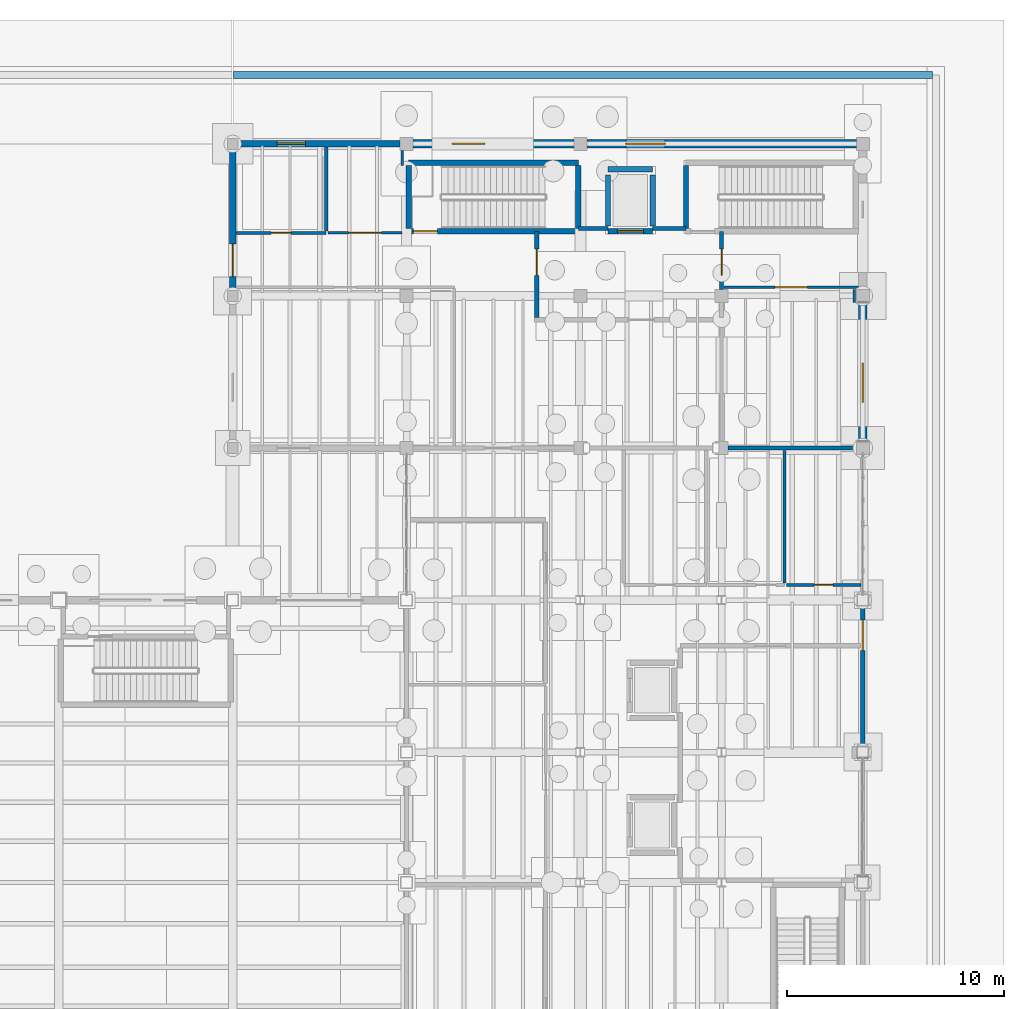
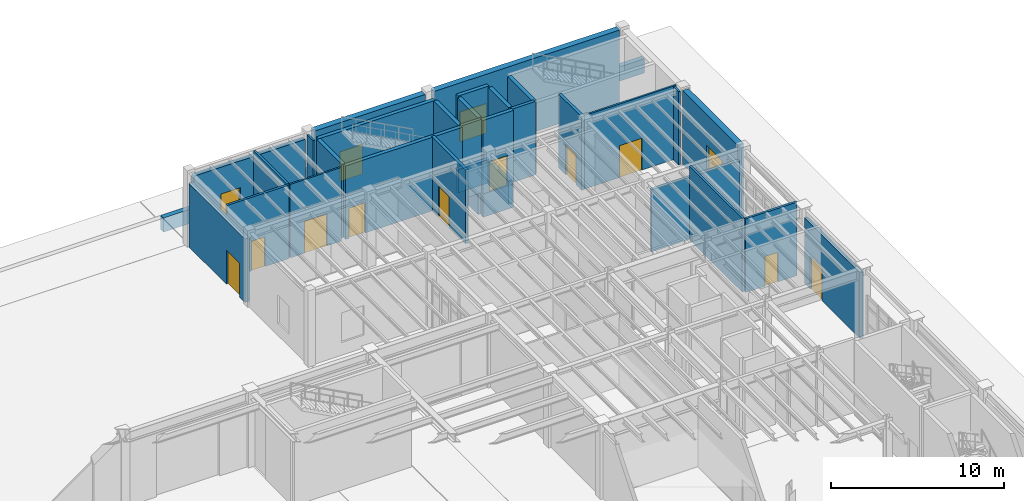
# One storey, part 70 of 86: 33 walls, 10 doors, 4 windows, 14 openings.
"""IFC4 building model written with IfcOpenShell, lengths in metres."""

from ifc_helpers import new_model, si_unit, direction, frame, frame_2d, origin, place, context, subcontext, project, spatial, rectangle, extrude, material, layer, layer_set, type_object, element, fill, save


model = new_model("IFC4")

# Units and contexts
model_context = context("Model", 3, precision=1e-05, world=origin(), true_north=direction((0.0, 1.0)))
body_context = subcontext(model_context, "Body", "Model", "MODEL_VIEW")
ifc_project = project(units=[si_unit("LENGTHUNIT", "METRE"), si_unit("AREAUNIT", "SQUARE_METRE"), si_unit("VOLUMEUNIT", "CUBIC_METRE"), si_unit("PLANEANGLEUNIT", "RADIAN"), si_unit("MASSUNIT", "GRAM", prefix="KILO"), si_unit("THERMODYNAMICTEMPERATUREUNIT", "KELVIN"), si_unit("POWERUNIT", "WATT")], contexts=[model_context])

# Site, building, storey
site_placement = place(None, origin())
site = spatial("IfcSite", under=ifc_project, at=site_placement, CompositionType="ELEMENT")
building_placement = place(site_placement, origin())
building = spatial("IfcBuilding", under=site, at=building_placement, Name="Zhenchuan Central Fire Station", CompositionType="ELEMENT")
storey_placement = place(building_placement, frame((0.0, 0.0, 0.449951171875)))
storey = spatial("IfcBuildingStorey", under=building, at=storey_placement, Name="L01", CompositionType="ELEMENT", Elevation=0.449951171875)

# Wall, opening, window
ifc_material_1 = material(Name="Sintered clay brick masonry MU15", Category="masonry")
ifc_layer_1 = layer(ifc_material_1, 0.300048828125, Name="Sintered clay brick masonry MU15", Category="masonry")
ifc_layer_set_1 = layer_set([ifc_layer_1], Name="Sintered clay brick masonry MU15")
wall_type_1 = type_object("IfcWallType", Name="EW-BRK300", PredefinedType="SOLIDWALL", material=ifc_layer_set_1)
wall_1_placement = place(storey_placement, frame((132.25, 56.5, 0.0), z_axis=(0.0, 0.0, 1.0), x_axis=(1.0, 0.0, 0.0)))
wall_1 = element("IfcWall", 1, at=wall_1_placement, inside=storey, type_object=wall_type_1, Name="EW-L01-V6N-0", PredefinedType="SOLIDWALL", context=body_context, shape_type="SweptSolid", body=[
    extrude(rectangle(XDim=7.449951171875, YDim=0.300048828125, at=frame_2d((3.72509765625, 0.0))), origin(), (0.0, 0.0, 1.0), 4.7939453125),
])
opening_1_placement = place(wall_1_placement, frame((1.800048828125, 0.0, 0.89990234375)))
opening_1 = element("IfcOpeningElement", 2, at=opening_1_placement, cuts=wall_1, Name="Opening W-33", PredefinedType="OPENING", context=body_context, shape_type="SweptSolid", body=[
    extrude(rectangle(XDim=1.300048828125, YDim=2.0, at=frame_2d((0.64990234375, 1.0))), frame((0.0, 0.159912109375, 0.0), z_axis=(0.0, -1.0, 0.0), x_axis=(1.0, 0.0, 0.0)), (0.0, 0.0, 1.0), 0.320068359375),
])
ifc_material_2 = material(Name="Laminated low-E double glazing in aluminium frame", Category="aluminium")
window_type_1 = type_object("IfcWindowType", Name="WN-33", PartitioningType="SINGLE_PANEL", PredefinedType="WINDOW", material=ifc_material_2)
window_1_placement = place(opening_1_placement, origin())
window_1 = element("IfcWindow", 3, at=window_1_placement, inside=storey, type_object=window_type_1, Name="Exterior Window 0099", OverallHeight=2.0, OverallWidth=1.300048828125, PartitioningType="SINGLE_PANEL", PredefinedType="WINDOW", context=body_context, shape_type="SweptSolid", body=[
    extrude(rectangle(XDim=1.300048828125, YDim=2.0, at=frame_2d((0.64990234375, 1.0))), frame((0.0, 0.030029296875, 0.0), z_axis=(0.0, -1.0, 0.0), x_axis=(1.0, 0.0, 0.0)), (0.0, 0.0, 1.0), 0.06005859375),
])
fill(opening_1, window_1)

# Wall, opening, door
wall_2_placement = place(storey_placement, frame((132.0, 49.75, 0.0), z_axis=(0.0, 0.0, 1.0), x_axis=(0.0, 1.0, 0.0)))
wall_2 = element("IfcWall", 4, at=wall_2_placement, inside=storey, type_object=wall_type_1, Name="EW-L01-V6W-1", PredefinedType="SOLIDWALL", context=body_context, shape_type="SweptSolid", body=[
    extrude(rectangle(XDim=6.5, YDim=0.300048828125, at=frame_2d((3.25, 0.0))), origin(), (0.0, 0.0, 1.0), 4.494140625),
])
opening_2_placement = place(wall_2_placement, frame((0.64990234375, 0.0, 0.0)))
opening_2 = element("IfcOpeningElement", 5, at=opening_2_placement, cuts=wall_2, Name="Opening EX-012", PredefinedType="OPENING", context=body_context, shape_type="SweptSolid", body=[
    extrude(rectangle(XDim=1.5, YDim=2.39990234375, at=frame_2d((0.75, 1.199951171875))), frame((0.0, 0.159912109375, 0.0), z_axis=(0.0, -1.0, 0.0), x_axis=(1.0, 0.0, 0.0)), (0.0, 0.0, 1.0), 0.320068359375),
])
ifc_material_3 = material(Name="Powder-coated steel fire exit door", Category="steel")
door_type_1 = type_object("IfcDoorType", Name="ED-150x240", OperationType="NOTDEFINED", PredefinedType="DOOR", material=ifc_material_3)
door_1_placement = place(opening_2_placement, origin())
door_1 = element("IfcDoor", 6, at=door_1_placement, inside=storey, type_object=door_type_1, Name="Drill Tower Courtyard Entrance", OperationType="SINGLE_SWING_RIGHT", OverallHeight=2.39990234375, OverallWidth=1.5, PredefinedType="DOOR", context=body_context, shape_type="SweptSolid", body=[
    extrude(rectangle(XDim=1.5, YDim=2.39990234375, at=frame_2d((0.75, 1.199951171875))), frame((0.0, 0.02490234375, 0.0), z_axis=(0.0, -1.0, 0.0), x_axis=(1.0, 0.0, 0.0)), (0.0, 0.0, 1.0), 0.050048828125),
])
fill(opening_2, door_1)

# Wall
ifc_material_4 = material(Name="Concrete C35/45", Category="concrete")
ifc_layer_2 = layer(ifc_material_4, 0.320068359375, Name="Concrete C35/45", Category="concrete")
ifc_layer_set_2 = layer_set([ifc_layer_2], Name="Concrete C35/45")
wall_type_2 = type_object("IfcWallType", Name="EW-PLN320", PredefinedType="SOLIDWALL", material=ifc_layer_set_2)
wall_3_placement = place(storey_placement, frame((132.02490234375, 59.662109375, -1.0), z_axis=(0.0, 0.0, 1.0), x_axis=(1.0, 0.0, 0.0)))
element("IfcWall", 7, at=wall_3_placement, inside=storey, type_object=wall_type_2, Name="Plinth Perimeter Retaining Stem Wall NORTH-E", PredefinedType="SOLIDWALL", context=body_context, shape_type="SweptSolid", body=[
    extrude(rectangle(XDim=32.175048828125, YDim=0.320068359375, at=frame_2d((16.08740234375, 0.0))), origin(), (0.0, 0.0, 1.0), 1.0),
])

# Wall, opening, door
ifc_material_5 = material(Name="Precast concrete C40/50", Category="concrete")
ifc_layer_3 = layer(ifc_material_5, 0.219970703125, Name="Precast concrete C40/50", Category="concrete")
ifc_layer_set_3 = layer_set([ifc_layer_3], Name="Precast concrete C40/50")
wall_type_3 = type_object("IfcWallType", Name="EW-PRC220", PredefinedType="SOLIDWALL", material=ifc_layer_set_3)
wall_4_placement = place(storey_placement, frame((161.0, 28.77490234375, 0.0), z_axis=(0.0, 0.0, 1.0), x_axis=(0.0, 1.0, 0.0)))
wall_4 = element("IfcWall", 8, at=wall_4_placement, inside=storey, type_object=wall_type_3, Name="EW-L01-V2E-EX", PredefinedType="SOLIDWALL", context=body_context, shape_type="SweptSolid", body=[
    extrude(rectangle(XDim=6.4501953125, YDim=0.219970703125, at=frame_2d((3.22509765625, 0.0))), origin(), (0.0, 0.0, 1.0), 4.64404296875),
])
opening_3_placement = place(wall_4_placement, frame((4.39990234375, 0.0, 0.0)))
opening_3 = element("IfcOpeningElement", 9, at=opening_3_placement, cuts=wall_4, Name="Opening EX-011", PredefinedType="OPENING", context=body_context, shape_type="SweptSolid", body=[
    extrude(rectangle(XDim=1.39990234375, YDim=2.35009765625, at=frame_2d((0.699951171875, 1.175048828125))), frame((0.0, 0.119873046875, 0.0), z_axis=(0.0, -1.0, 0.0), x_axis=(1.0, 0.0, 0.0)), (0.0, 0.0, 1.0), 0.239990234375),
])
door_type_2 = type_object("IfcDoorType", Name="ED-140x235", OperationType="NOTDEFINED", PredefinedType="DOOR", material=ifc_material_3)
door_2_placement = place(opening_3_placement, frame((1.39990234375, 0.0, 0.0), z_axis=(0.0, 0.0, 1.0), x_axis=(-1.0, 0.0, 0.0)))
door_2 = element("IfcDoor", 10, at=door_2_placement, inside=storey, type_object=door_type_2, Name="Headquarters East Street Exit", OperationType="SINGLE_SWING_RIGHT", OverallHeight=2.35009765625, OverallWidth=1.39990234375, PredefinedType="DOOR", context=body_context, shape_type="SweptSolid", body=[
    extrude(rectangle(XDim=1.39990234375, YDim=2.35009765625, at=frame_2d((0.699951171875, 1.175048828125))), frame((0.0, 0.02490234375, 0.0), z_axis=(0.0, -1.0, 0.0), x_axis=(1.0, 0.0, 0.0)), (0.0, 0.0, 1.0), 0.050048828125),
])
fill(opening_3, door_2)

# Wall, opening, window
ifc_material_6 = material(Name="Concrete C40/50", Category="concrete")
ifc_layer_4 = layer(ifc_material_6, 0.39990234375, Name="Concrete C40/50", Category="concrete")
ifc_layer_set_4 = layer_set([ifc_layer_4], Name="Concrete C40/50")
wall_type_4 = type_object("IfcWallType", Name="EW-RC400", PredefinedType="SHEAR", material=ifc_layer_set_4)
wall_5_placement = place(storey_placement, frame((140.300048828125, 56.5, 0.0), z_axis=(0.0, 0.0, 1.0), x_axis=(1.0, 0.0, 0.0)))
wall_5 = element("IfcWall", 11, at=wall_5_placement, inside=storey, type_object=wall_type_4, Name="EW-L01-V6N-1", PredefinedType="SHEAR", context=body_context, shape_type="SweptSolid", body=[
    extrude(rectangle(XDim=7.39990234375, YDim=0.39990234375, at=frame_2d((3.699951171875, 0.0))), origin(), (0.0, 0.0, 1.0), 5.199951171875),
])
opening_4_placement = place(wall_5_placement, frame((1.800048828125, 0.0, 0.89990234375)))
opening_4 = element("IfcOpeningElement", 12, at=opening_4_placement, cuts=wall_5, Name="Opening W-34", PredefinedType="OPENING", context=body_context, shape_type="SweptSolid", body=[
    extrude(rectangle(XDim=1.5, YDim=2.10009765625, at=frame_2d((0.75, 1.050048828125))), frame((0.0, 0.2099609375, 0.0), z_axis=(0.0, -1.0, 0.0), x_axis=(1.0, 0.0, 0.0)), (0.0, 0.0, 1.0), 0.419921875),
])
window_type_2 = type_object("IfcWindowType", Name="WN-34", PartitioningType="SINGLE_PANEL", PredefinedType="WINDOW", material=ifc_material_2)
window_2_placement = place(opening_4_placement, origin())
window_2 = element("IfcWindow", 13, at=window_2_placement, inside=storey, type_object=window_type_2, Name="Exterior Window 0100", OverallHeight=2.10009765625, OverallWidth=1.5, PartitioningType="SINGLE_PANEL", PredefinedType="WINDOW", context=body_context, shape_type="SweptSolid", body=[
    extrude(rectangle(XDim=1.5, YDim=2.10009765625, at=frame_2d((0.75, 1.050048828125))), frame((0.0, 0.030029296875, 0.0), z_axis=(0.0, -1.0, 0.0), x_axis=(1.0, 0.0, 0.0)), (0.0, 0.0, 1.0), 0.06005859375),
])
fill(opening_4, window_2)

wall_6_placement = place(storey_placement, frame((148.300048828125, 56.5, 0.0), z_axis=(0.0, 0.0, 1.0), x_axis=(1.0, 0.0, 0.0)))
wall_6 = element("IfcWall", 14, at=wall_6_placement, inside=storey, type_object=wall_type_4, Name="EW-L01-V6N-2", PredefinedType="SHEAR", context=body_context, shape_type="SweptSolid", body=[
    extrude(rectangle(XDim=12.39990234375, YDim=0.39990234375, at=frame_2d((6.199951171875, 0.0))), origin(), (0.0, 0.0, 1.0), 5.199951171875),
])
opening_5_placement = place(wall_6_placement, frame((1.800048828125, 0.0, 0.89990234375)))
opening_5 = element("IfcOpeningElement", 15, at=opening_5_placement, cuts=wall_6, Name="Opening W-35", PredefinedType="OPENING", context=body_context, shape_type="SweptSolid", body=[
    extrude(rectangle(XDim=1.800048828125, YDim=2.10009765625, at=frame_2d((0.89990234375, 1.050048828125))), frame((0.0, 0.2099609375, 0.0), z_axis=(0.0, -1.0, 0.0), x_axis=(1.0, 0.0, 0.0)), (0.0, 0.0, 1.0), 0.419921875),
])
window_type_3 = type_object("IfcWindowType", Name="WN-35", PartitioningType="SINGLE_PANEL", PredefinedType="WINDOW", material=ifc_material_2)
window_3_placement = place(opening_5_placement, origin())
window_3 = element("IfcWindow", 16, at=window_3_placement, inside=storey, type_object=window_type_3, Name="Exterior Window 0101", OverallHeight=2.10009765625, OverallWidth=1.800048828125, PartitioningType="SINGLE_PANEL", PredefinedType="WINDOW", context=body_context, shape_type="SweptSolid", body=[
    extrude(rectangle(XDim=1.800048828125, YDim=2.10009765625, at=frame_2d((0.89990234375, 1.050048828125))), frame((0.0, 0.030029296875, 0.0), z_axis=(0.0, -1.0, 0.0), x_axis=(1.0, 0.0, 0.0)), (0.0, 0.0, 1.0), 0.06005859375),
])
fill(opening_5, window_3)

wall_7_placement = place(storey_placement, frame((161.0, 42.800048828125, 0.0), z_axis=(0.0, 0.0, 1.0), x_axis=(0.0, 1.0, 0.0)))
wall_7 = element("IfcWall", 17, at=wall_7_placement, inside=storey, type_object=wall_type_4, Name="EW-L01-V6E-0", PredefinedType="SHEAR", context=body_context, shape_type="SweptSolid", body=[
    extrude(rectangle(XDim=6.39990234375, YDim=0.39990234375, at=frame_2d((3.199951171875, 0.0))), origin(), (0.0, 0.0, 1.0), 5.199951171875),
])
opening_6_placement = place(wall_7_placement, frame((1.800048828125, 0.0, 0.89990234375)))
opening_6 = element("IfcOpeningElement", 18, at=opening_6_placement, cuts=wall_7, Name="Opening W-35", PredefinedType="OPENING", context=body_context, shape_type="SweptSolid", body=[
    extrude(rectangle(XDim=1.800048828125, YDim=2.10009765625, at=frame_2d((0.89990234375, 1.050048828125))), frame((0.0, 0.2099609375, 0.0), z_axis=(0.0, -1.0, 0.0), x_axis=(1.0, 0.0, 0.0)), (0.0, 0.0, 1.0), 0.419921875),
])
window_4_placement = place(opening_6_placement, origin())
window_4 = element("IfcWindow", 19, at=window_4_placement, inside=storey, type_object=window_type_3, Name="Exterior Window 0102", OverallHeight=2.10009765625, OverallWidth=1.800048828125, PartitioningType="SINGLE_PANEL", PredefinedType="WINDOW", context=body_context, shape_type="SweptSolid", body=[
    extrude(rectangle(XDim=1.800048828125, YDim=2.10009765625, at=frame_2d((0.89990234375, 1.050048828125))), frame((0.0, 0.030029296875, 0.0), z_axis=(0.0, -1.0, 0.0), x_axis=(1.0, 0.0, 0.0)), (0.0, 0.0, 1.0), 0.06005859375),
])
fill(opening_6, window_4)

# Wall
ifc_material_7 = material(Name="Autoclaved aerated concrete blockwork", Category="masonry")
ifc_layer_5 = layer(ifc_material_7, 0.14990234375, Name="Autoclaved aerated concrete blockwork", Category="masonry")
ifc_layer_set_5 = layer_set([ifc_layer_5], Name="Autoclaved aerated concrete blockwork")
wall_type_5 = type_object("IfcWallType", Name="IW-BLK150", PredefinedType="PARTITIONING", material=ifc_layer_set_5)
wall_8_placement = place(storey_placement, frame((157.39990234375, 36.278076171875, 0.0), z_axis=(0.0, 0.0, 1.0), x_axis=(0.0, 1.0, 0.0)))
element("IfcWall", 20, at=wall_8_placement, inside=storey, type_object=wall_type_5, Name="Headquarters Female WC E Partition", PredefinedType="PARTITIONING", context=body_context, shape_type="SweptSolid", body=[
    extrude(rectangle(XDim=6.118896484375, YDim=0.14990234375, at=frame_2d((3.0595703125, 0.0))), origin(), (0.0, 0.0, 1.0), 5.199951171875),
])

# Wall, opening, door
wall_9_placement = place(storey_placement, frame((157.47802734375, 36.199951171875, 0.0), z_axis=(0.0, 0.0, 1.0), x_axis=(1.0, 0.0, 0.0)))
wall_9 = element("IfcWall", 21, at=wall_9_placement, inside=storey, type_object=wall_type_5, Name="Headquarters Accessible WC S Partition", PredefinedType="PARTITIONING", context=body_context, shape_type="SweptSolid", body=[
    extrude(rectangle(XDim=3.43896484375, YDim=0.14990234375, at=frame_2d((1.719482421875, 0.0))), origin(), (0.0, 0.0, 1.0), 5.199951171875),
])
opening_7_placement = place(wall_9_placement, frame((1.279541015625, 0.0, 0.0)))
opening_7 = element("IfcOpeningElement", 22, at=opening_7_placement, cuts=wall_9, Name="Opening D-095", PredefinedType="OPENING", context=body_context, shape_type="SweptSolid", body=[
    extrude(rectangle(XDim=0.8798828125, YDim=2.10009765625, at=frame_2d((0.43994140625, 1.050048828125))), frame((0.0, 0.0849609375, 0.0), z_axis=(0.0, -1.0, 0.0), x_axis=(1.0, 0.0, 0.0)), (0.0, 0.0, 1.0), 0.169921875),
])
ifc_material_8 = material(Name="Moisture-resistant washroom door")
door_type_3 = type_object("IfcDoorType", Name="ID-WC-088x210", OperationType="NOTDEFINED", PredefinedType="DOOR", material=ifc_material_8)
door_3_placement = place(opening_7_placement, origin())
door_3 = element("IfcDoor", 23, at=door_3_placement, inside=storey, type_object=door_type_3, Name="Headquarters Accessible WC Door", OperationType="SINGLE_SWING_LEFT", OverallHeight=2.10009765625, OverallWidth=0.8798828125, PredefinedType="DOOR", context=body_context, shape_type="SweptSolid", body=[
    extrude(rectangle(XDim=0.8798828125, YDim=2.10009765625, at=frame_2d((0.43994140625, 1.050048828125))), frame((0.0, 0.02490234375, 0.0), z_axis=(0.0, -1.0, 0.0), x_axis=(1.0, 0.0, 0.0)), (0.0, 0.0, 1.0), 0.050048828125),
])
fill(opening_7, door_3)

wall_10_placement = place(storey_placement, frame((132.153076171875, 52.39990234375, 0.0), z_axis=(0.0, 0.0, 1.0), x_axis=(1.0, 0.0, 0.0)))
wall_10 = element("IfcWall", 24, at=wall_10_placement, inside=storey, type_object=wall_type_5, Name="Drill Tower Accessible WC L01 S Partition", PredefinedType="PARTITIONING", context=body_context, shape_type="SweptSolid", body=[
    extrude(rectangle(XDim=4.14697265625, YDim=0.14990234375, at=frame_2d((2.073486328125, 0.0))), origin(), (0.0, 0.0, 1.0), 5.199951171875),
])
opening_8_placement = place(wall_10_placement, frame((1.613525390625, 0.0, 0.0)))
opening_8 = element("IfcOpeningElement", 25, at=opening_8_placement, cuts=wall_10, Name="Opening D-098", PredefinedType="OPENING", context=body_context, shape_type="SweptSolid", body=[
    extrude(rectangle(XDim=0.919921875, YDim=2.10009765625, at=frame_2d((0.4599609375, 1.050048828125))), frame((0.0, 0.0849609375, 0.0), z_axis=(0.0, -1.0, 0.0), x_axis=(1.0, 0.0, 0.0)), (0.0, 0.0, 1.0), 0.169921875),
])
ifc_material_9 = material(Name="Moisture-resistant accessible WC door")
door_type_4 = type_object("IfcDoorType", Name="ID-WC-092x210", OperationType="NOTDEFINED", PredefinedType="DOOR", material=ifc_material_9)
door_4_placement = place(opening_8_placement, origin())
door_4 = element("IfcDoor", 26, at=door_4_placement, inside=storey, type_object=door_type_4, Name="Drill Tower Accessible WC L01 Door", OperationType="SINGLE_SWING_RIGHT", OverallHeight=2.10009765625, OverallWidth=0.919921875, PredefinedType="DOOR", context=body_context, shape_type="SweptSolid", body=[
    extrude(rectangle(XDim=0.919921875, YDim=2.10009765625, at=frame_2d((0.4599609375, 1.050048828125))), frame((0.0, 0.02490234375, 0.0), z_axis=(0.0, -1.0, 0.0), x_axis=(1.0, 0.0, 0.0)), (0.0, 0.0, 1.0), 0.050048828125),
])
fill(opening_8, door_4)

# Walls
wall_11_placement = place(storey_placement, frame((136.300048828125, 52.47802734375, 0.0), z_axis=(0.0, 0.0, 1.0), x_axis=(0.0, 1.0, 0.0)))
element("IfcWall", 27, at=wall_11_placement, inside=storey, type_object=wall_type_5, Name="Drill Tower Accessible WC L01 E Partition", PredefinedType="PARTITIONING", context=body_context, shape_type="SweptSolid", body=[
    extrude(rectangle(XDim=3.868896484375, YDim=0.14990234375, at=frame_2d((1.9345703125, 0.0))), origin(), (0.0, 0.0, 1.0), 5.199951171875),
])
ifc_layer_6 = layer(ifc_material_7, 0.199951171875, Name="Autoclaved aerated concrete blockwork", Category="masonry")
ifc_layer_set_6 = layer_set([ifc_layer_6], Name="Autoclaved aerated concrete blockwork")
wall_type_6 = type_object("IfcWallType", Name="IW-FIR200", PredefinedType="PARTITIONING", material=ifc_layer_set_6)
wall_12_placement = place(storey_placement, frame((154.802001953125, 42.5, 0.0), z_axis=(0.0, 0.0, 1.0), x_axis=(1.0, 0.0, 0.0)))
element("IfcWall", 28, at=wall_12_placement, inside=storey, type_object=wall_type_6, Name="L01 HQ-Tower Fire Compartment Wall X=154.5..161.0", PredefinedType="PARTITIONING", context=body_context, shape_type="SweptSolid", body=[
    extrude(rectangle(XDim=5.89599609375, YDim=0.199951171875, at=frame_2d((2.947998046875, 0.0))), origin(), (0.0, 0.0, 1.0), 4.39404296875),
])
wall_13_placement = place(storey_placement, frame((147.908935546875, 52.60009765625, 0.0), z_axis=(0.0, 0.0, 1.0), x_axis=(1.0, 0.0, 0.0)))
element("IfcWall", 29, at=wall_13_placement, inside=storey, type_object=wall_type_6, Name="L01 Firefighting Lobby North-West Infill Wall", PredefinedType="PARTITIONING", context=body_context, shape_type="SweptSolid", body=[
    extrude(rectangle(XDim=1.362060546875, YDim=0.199951171875, at=frame_2d((0.68115234375, 0.0))), origin(), (0.0, 0.0, 1.0), 5.199951171875),
])
wall_14_placement = place(storey_placement, frame((151.3291015625, 52.60009765625, 0.0), z_axis=(0.0, 0.0, 1.0), x_axis=(1.0, 0.0, 0.0)))
element("IfcWall", 30, at=wall_14_placement, inside=storey, type_object=wall_type_6, Name="L01 Firefighting Lobby North-East Infill Wall", PredefinedType="PARTITIONING", context=body_context, shape_type="SweptSolid", body=[
    extrude(rectangle(XDim=1.531982421875, YDim=0.199951171875, at=frame_2d((0.76611328125, 0.0))), origin(), (0.0, 0.0, 1.0), 5.199951171875),
])

# Wall, opening, door
wall_15_placement = place(storey_placement, frame((146.0, 48.50390625, 0.0), z_axis=(0.0, 0.0, 1.0), x_axis=(0.0, 1.0, 0.0)))
wall_15 = element("IfcWall", 31, at=wall_15_placement, inside=storey, type_object=wall_type_6, Name="L01 Firefighting Lift Lobby West Wall", PredefinedType="PARTITIONING", context=body_context, shape_type="SweptSolid", body=[
    extrude(rectangle(XDim=3.967041015625, YDim=0.199951171875, at=frame_2d((1.9833984375, 0.0))), origin(), (0.0, 0.0, 1.0), 5.199951171875),
])
opening_9_placement = place(wall_15_placement, frame((1.946044921875, 0.0, 0.0)))
opening_9 = element("IfcOpeningElement", 32, at=opening_9_placement, cuts=wall_15, Name="Opening D-049", PredefinedType="OPENING", context=body_context, shape_type="SweptSolid", body=[
    extrude(rectangle(XDim=1.199951171875, YDim=2.14990234375, at=frame_2d((0.60009765625, 1.074951171875))), frame((0.0, 0.10986328125, 0.0), z_axis=(0.0, -1.0, 0.0), x_axis=(1.0, 0.0, 0.0)), (0.0, 0.0, 1.0), 0.219970703125),
])
ifc_material_10 = material(Name="Smoke-sealed steel fire lobby door", Category="steel")
door_type_5 = type_object("IfcDoorType", Name="ID-FFL-120x215", OperationType="NOTDEFINED", PredefinedType="DOOR", material=ifc_material_10)
door_5_placement = place(opening_9_placement, origin())
door_5 = element("IfcDoor", 33, at=door_5_placement, inside=storey, type_object=door_type_5, Name="L01 Firefighting Lift Lobby West Door", OperationType="SINGLE_SWING_LEFT", OverallHeight=2.14990234375, OverallWidth=1.199951171875, PredefinedType="DOOR", context=body_context, shape_type="SweptSolid", body=[
    extrude(rectangle(XDim=1.199951171875, YDim=2.14990234375, at=frame_2d((0.60009765625, 1.074951171875))), frame((0.0, 0.02490234375, 0.0), z_axis=(0.0, -1.0, 0.0), x_axis=(1.0, 0.0, 0.0)), (0.0, 0.0, 1.0), 0.050048828125),
])
fill(opening_9, door_5)

wall_16_placement = place(storey_placement, frame((154.5, 49.803955078125, 0.0), z_axis=(0.0, 0.0, 1.0), x_axis=(0.0, 1.0, 0.0)))
wall_16 = element("IfcWall", 34, at=wall_16_placement, inside=storey, type_object=wall_type_6, Name="L01 Firefighting Lift Lobby East Wall", PredefinedType="PARTITIONING", context=body_context, shape_type="SweptSolid", body=[
    extrude(rectangle(XDim=2.6669921875, YDim=0.199951171875, at=frame_2d((1.33349609375, 0.0))), origin(), (0.0, 0.0, 1.0), 5.199951171875),
])
opening_10_placement = place(wall_16_placement, frame((0.64599609375, 0.0, 0.0)))
opening_10 = element("IfcOpeningElement", 35, at=opening_10_placement, cuts=wall_16, Name="Opening D-050", PredefinedType="OPENING", context=body_context, shape_type="SweptSolid", body=[
    extrude(rectangle(XDim=1.199951171875, YDim=2.14990234375, at=frame_2d((0.60009765625, 1.074951171875))), frame((0.0, 0.10986328125, 0.0), z_axis=(0.0, -1.0, 0.0), x_axis=(1.0, 0.0, 0.0)), (0.0, 0.0, 1.0), 0.219970703125),
])
door_6_placement = place(opening_10_placement, origin())
door_6 = element("IfcDoor", 36, at=door_6_placement, inside=storey, type_object=door_type_5, Name="L01 Firefighting Lift Lobby East Door", OperationType="SINGLE_SWING_RIGHT", OverallHeight=2.14990234375, OverallWidth=1.199951171875, PredefinedType="DOOR", context=body_context, shape_type="SweptSolid", body=[
    extrude(rectangle(XDim=1.199951171875, YDim=2.14990234375, at=frame_2d((0.60009765625, 1.074951171875))), frame((0.0, 0.02490234375, 0.0), z_axis=(0.0, -1.0, 0.0), x_axis=(1.0, 0.0, 0.0)), (0.0, 0.0, 1.0), 0.050048828125),
])
fill(opening_10, door_6)

ifc_material_11 = material(Name="Gypsum plasterboard on steel studs", Category="gypsum")
ifc_layer_7 = layer(ifc_material_11, 0.1201171875, Name="Gypsum plasterboard on steel studs", Category="gypsum")
ifc_layer_set_7 = layer_set([ifc_layer_7], Name="Gypsum plasterboard on steel studs")
wall_type_7 = type_object("IfcWallType", Name="IW-GYP120", PredefinedType="PARTITIONING", material=ifc_layer_set_7)
wall_17_placement = place(storey_placement, frame((154.60302734375, 49.89990234375, 0.0), z_axis=(0.0, 0.0, 1.0), x_axis=(1.0, 0.0, 0.0)))
wall_17 = element("IfcWall", 37, at=wall_17_placement, inside=storey, type_object=wall_type_7, Name="Tower Rigging Gear Store N Partition", PredefinedType="PARTITIONING", context=body_context, shape_type="SweptSolid", body=[
    extrude(rectangle(XDim=6.194091796875, YDim=0.1201171875, at=frame_2d((3.09716796875, 0.0))), origin(), (0.0, 0.0, 1.0), 5.199951171875),
])
opening_11_placement = place(wall_17_placement, frame((2.346923828125, 0.0, 0.0)))
opening_11 = element("IfcOpeningElement", 38, at=opening_11_placement, cuts=wall_17, Name="Opening D-097", PredefinedType="OPENING", context=body_context, shape_type="SweptSolid", body=[
    extrude(rectangle(XDim=1.5, YDim=2.25, at=frame_2d((0.75, 1.125))), frame((0.0, 0.070068359375, 0.0), z_axis=(0.0, -1.0, 0.0), x_axis=(1.0, 0.0, 0.0)), (0.0, 0.0, 1.0), 0.14013671875),
])
ifc_material_12 = material(Name="Powder-coated steel workshop door", Category="steel")
door_type_6 = type_object("IfcDoorType", Name="ID-WKS-150x225", OperationType="NOTDEFINED", PredefinedType="DOOR", material=ifc_material_12)
door_7_placement = place(opening_11_placement, origin())
door_7 = element("IfcDoor", 39, at=door_7_placement, inside=storey, type_object=door_type_6, Name="Tower Rigging Gear Store Door", OperationType="SINGLE_SWING_LEFT", OverallHeight=2.25, OverallWidth=1.5, PredefinedType="DOOR", context=body_context, shape_type="SweptSolid", body=[
    extrude(rectangle(XDim=1.5, YDim=2.25, at=frame_2d((0.75, 1.125))), frame((0.0, 0.02490234375, 0.0), z_axis=(0.0, -1.0, 0.0), x_axis=(1.0, 0.0, 0.0)), (0.0, 0.0, 1.0), 0.050048828125),
])
fill(opening_11, door_7)

# Wall
wall_18_placement = place(storey_placement, frame((160.60009765625, 49.202880859375, 0.0), z_axis=(0.0, 0.0, 1.0), x_axis=(0.0, 1.0, 0.0)))
element("IfcWall", 40, at=wall_18_placement, inside=storey, type_object=wall_type_7, Name="Tower Rigging Gear Store E Partition", PredefinedType="PARTITIONING", context=body_context, shape_type="SweptSolid", body=[
    extrude(rectangle(XDim=0.59423828125, YDim=0.1201171875, at=frame_2d((0.297119140625, 0.0))), origin(), (0.0, 0.0, 1.0), 5.199951171875),
])

# Wall, opening, door
wall_19_placement = place(storey_placement, frame((136.3779296875, 52.39990234375, 0.0), z_axis=(0.0, 0.0, 1.0), x_axis=(1.0, 0.0, 0.0)))
wall_19 = element("IfcWall", 41, at=wall_19_placement, inside=storey, type_object=wall_type_7, Name="Drill Tower Gear Drying Room L01 S Partition", PredefinedType="PARTITIONING", context=body_context, shape_type="SweptSolid", body=[
    extrude(rectangle(XDim=3.422119140625, YDim=0.1201171875, at=frame_2d((1.7109375, 0.0))), origin(), (0.0, 0.0, 1.0), 5.199951171875),
])
opening_12_placement = place(wall_19_placement, frame((0.9609375, 0.0, 0.0)))
opening_12 = element("IfcOpeningElement", 42, at=opening_12_placement, cuts=wall_19, Name="Opening D-099", PredefinedType="OPENING", context=body_context, shape_type="SweptSolid", body=[
    extrude(rectangle(XDim=1.5, YDim=2.25, at=frame_2d((0.75, 1.125))), frame((0.0, 0.070068359375, 0.0), z_axis=(0.0, -1.0, 0.0), x_axis=(1.0, 0.0, 0.0)), (0.0, 0.0, 1.0), 0.14013671875),
])
door_8_placement = place(opening_12_placement, origin())
door_8 = element("IfcDoor", 43, at=door_8_placement, inside=storey, type_object=door_type_6, Name="Drill Tower Gear Drying Room L01 Door", OperationType="SINGLE_SWING_LEFT", OverallHeight=2.25, OverallWidth=1.5, PredefinedType="DOOR", context=body_context, shape_type="SweptSolid", body=[
    extrude(rectangle(XDim=1.5, YDim=2.25, at=frame_2d((0.75, 1.125))), frame((0.0, 0.02490234375, 0.0), z_axis=(0.0, -1.0, 0.0), x_axis=(1.0, 0.0, 0.0)), (0.0, 0.0, 1.0), 0.050048828125),
])
fill(opening_12, door_8)

# Wall
wall_20_placement = place(storey_placement, frame((139.800048828125, 55.5029296875, 0.0), z_axis=(0.0, 0.0, 1.0), x_axis=(0.0, 1.0, 0.0)))
element("IfcWall", 44, at=wall_20_placement, inside=storey, type_object=wall_type_7, Name="Drill Tower Gear Drying Room L01 E Partition", PredefinedType="PARTITIONING", context=body_context, shape_type="SweptSolid", body=[
    extrude(rectangle(XDim=0.694091796875, YDim=0.1201171875, at=frame_2d((0.34716796875, 0.0))), origin(), (0.0, 0.0, 1.0), 5.199951171875),
])

# Wall, opening, door
ifc_layer_8 = layer(ifc_material_6, 0.25, Name="Concrete C40/50", Category="concrete")
ifc_layer_set_8 = layer_set([ifc_layer_8], Name="Concrete C40/50")
wall_type_8 = type_object("IfcWallType", Name="IW-SHR250", PredefinedType="SHEAR", material=ifc_layer_set_8)
wall_21_placement = place(storey_placement, frame((140.094970703125, 52.47509765625, 0.0), z_axis=(0.0, 0.0, 1.0), x_axis=(1.0, 0.0, 0.0)))
wall_21 = element("IfcWall", 45, at=wall_21_placement, inside=storey, type_object=wall_type_8, Name="ST-12 L01 South Core Wall", PredefinedType="SHEAR", context=body_context, shape_type="SweptSolid", body=[
    extrude(rectangle(XDim=7.81005859375, YDim=0.25, at=frame_2d((3.905029296875, 0.0))), origin(), (0.0, 0.0, 1.0), 5.199951171875),
])
opening_13_placement = place(wall_21_placement, frame((0.219970703125, 0.0, 0.0)))
opening_13 = element("IfcOpeningElement", 46, at=opening_13_placement, cuts=wall_21, Name="Opening D-030", PredefinedType="OPENING", context=body_context, shape_type="SweptSolid", body=[
    extrude(rectangle(XDim=1.10009765625, YDim=2.14990234375, at=frame_2d((0.550048828125, 1.074951171875))), frame((0.0, 0.135009765625, 0.0), z_axis=(0.0, -1.0, 0.0), x_axis=(1.0, 0.0, 0.0)), (0.0, 0.0, 1.0), 0.27001953125),
])
ifc_material_13 = material(Name="Painted steel acoustic fire door", Category="steel")
door_type_7 = type_object("IfcDoorType", Name="ID-ST-110x215", OperationType="NOTDEFINED", PredefinedType="DOOR", material=ifc_material_13)
door_9_placement = place(opening_13_placement, frame((1.10009765625, 0.0, 0.0), z_axis=(0.0, 0.0, 1.0), x_axis=(-1.0, 0.0, 0.0)))
door_9 = element("IfcDoor", 47, at=door_9_placement, inside=storey, type_object=door_type_7, Name="ST-12 L01 Fire Door", OperationType="SINGLE_SWING_RIGHT", OverallHeight=2.14990234375, OverallWidth=1.10009765625, PredefinedType="DOOR", context=body_context, shape_type="SweptSolid", body=[
    extrude(rectangle(XDim=1.10009765625, YDim=2.14990234375, at=frame_2d((0.550048828125, 1.074951171875))), frame((0.0, 0.02490234375, 0.0), z_axis=(0.0, -1.0, 0.0), x_axis=(1.0, 0.0, 0.0)), (0.0, 0.0, 1.0), 0.050048828125),
])
fill(opening_13, door_9)

# Walls
wall_22_placement = place(storey_placement, frame((140.094970703125, 55.625, 0.0), z_axis=(0.0, 0.0, 1.0), x_axis=(1.0, 0.0, 0.0)))
element("IfcWall", 48, at=wall_22_placement, inside=storey, type_object=wall_type_8, Name="ST-12 L01 North Core Wall", PredefinedType="SHEAR", context=body_context, shape_type="SweptSolid", body=[
    extrude(rectangle(XDim=7.81005859375, YDim=0.25, at=frame_2d((3.905029296875, 0.0))), origin(), (0.0, 0.0, 1.0), 5.199951171875),
])
for number, where, z_axis, x_axis, name in (
    (49, (140.094970703125, 52.60009765625, 0.0), (0.0, 0.0, 1.0), (0.0, 1.0, 0.0), "ST-12 L01 West Core Wall"),
    (50, (147.905029296875, 52.60009765625, 0.0), (0.0, 0.0, 1.0), (0.0, 1.0, 0.0), "ST-12 L01 East Core Wall"),
    (51, (152.864990234375, 52.60009765625, 0.0), (0.0, 0.0, 1.0), (0.0, 1.0, 0.0), "ST-13 L01 West Core Wall"),
):
    element("IfcWall", number, at=place(storey_placement, frame(where, z_axis=z_axis, x_axis=x_axis)), inside=storey, type_object=wall_type_8, Name=name, PredefinedType="SHEAR", context=body_context, shape_type="SweptSolid", body=[
        extrude(rectangle(XDim=2.89990234375, YDim=0.25, at=frame_2d((1.449951171875, 0.0))), origin(), (0.0, 0.0, 1.0), 5.199951171875),
    ])
for number, where, z_axis, x_axis, name in (
    (52, (149.27490234375, 52.47509765625, -1.64990234375), (0.0, 0.0, 1.0), (1.0, 0.0, 0.0), "Lift FL-01 Pit South Wall"),
    (53, (149.27490234375, 55.324951171875, -1.64990234375), (0.0, 0.0, 1.0), (1.0, 0.0, 0.0), "Lift FL-01 Pit North Wall"),
):
    element("IfcWall", number, at=place(storey_placement, frame(where, z_axis=z_axis, x_axis=x_axis)), inside=storey, type_object=wall_type_8, Name=name, PredefinedType="SHEAR", context=body_context, shape_type="SweptSolid", body=[
        extrude(rectangle(XDim=2.050048828125, YDim=0.25, at=frame_2d((1.02490234375, 0.0))), origin(), (0.0, 0.0, 1.0), 1.64990234375),
    ])
for number, where, z_axis, x_axis, name in (
    (54, (149.27490234375, 52.72509765625, -1.64990234375), (0.0, 0.0, 1.0), (0.0, 1.0, 0.0), "Lift FL-01 Pit West Wall"),
    (55, (151.324951171875, 52.72509765625, -1.64990234375), (0.0, 0.0, 1.0), (0.0, 1.0, 0.0), "Lift FL-01 Pit East Wall"),
):
    element("IfcWall", number, at=place(storey_placement, frame(where, z_axis=z_axis, x_axis=x_axis)), inside=storey, type_object=wall_type_8, Name=name, PredefinedType="SHEAR", context=body_context, shape_type="SweptSolid", body=[
        extrude(rectangle(XDim=2.349853515625, YDim=0.25, at=frame_2d((1.1748046875, 0.0))), origin(), (0.0, 0.0, 1.0), 1.64990234375),
    ])

# Wall, opening, door
wall_23_placement = place(storey_placement, frame((149.27490234375, 52.47509765625, 0.0), z_axis=(0.0, 0.0, 1.0), x_axis=(1.0, 0.0, 0.0)))
wall_23 = element("IfcWall", 56, at=wall_23_placement, inside=storey, type_object=wall_type_8, Name="Lift FL-01 L01 South Shaft Wall", PredefinedType="SHEAR", context=body_context, shape_type="SweptSolid", body=[
    extrude(rectangle(XDim=2.050048828125, YDim=0.25, at=frame_2d((1.02490234375, 0.0))), origin(), (0.0, 0.0, 1.0), 5.199951171875),
])
opening_14_placement = place(wall_23_placement, frame((0.425048828125, 0.0, 0.0)))
opening_14 = element("IfcOpeningElement", 57, at=opening_14_placement, cuts=wall_23, Name="Opening LD-001", PredefinedType="OPENING", context=body_context, shape_type="SweptSolid", body=[
    extrude(rectangle(XDim=1.199951171875, YDim=2.14990234375, at=frame_2d((0.60009765625, 1.074951171875))), frame((0.0, 0.135009765625, 0.0), z_axis=(0.0, -1.0, 0.0), x_axis=(1.0, 0.0, 0.0)), (0.0, 0.0, 1.0), 0.27001953125),
])
ifc_material_14 = material(Name="Brushed stainless steel sliding landing door", Category="steel")
door_type_8 = type_object("IfcDoorType", Name="ID-LD-120x215", OperationType="NOTDEFINED", PredefinedType="DOOR", material=ifc_material_14)
door_10_placement = place(opening_14_placement, origin())
door_10 = element("IfcDoor", 58, at=door_10_placement, inside=storey, type_object=door_type_8, Name="Lift FL-01 L01 Sliding Landing Door", OperationType="DOUBLE_DOOR_SLIDING", OverallHeight=2.14990234375, OverallWidth=1.199951171875, PredefinedType="DOOR", context=body_context, shape_type="SweptSolid", body=[
    extrude(rectangle(XDim=1.199951171875, YDim=2.14990234375, at=frame_2d((0.60009765625, 1.074951171875))), frame((0.0, 0.02490234375, 0.0), z_axis=(0.0, -1.0, 0.0), x_axis=(1.0, 0.0, 0.0)), (0.0, 0.0, 1.0), 0.050048828125),
])
fill(opening_14, door_10)

# Walls
wall_24_placement = place(storey_placement, frame((149.27490234375, 55.324951171875, 0.0), z_axis=(0.0, 0.0, 1.0), x_axis=(1.0, 0.0, 0.0)))
element("IfcWall", 59, at=wall_24_placement, inside=storey, type_object=wall_type_8, Name="Lift FL-01 L01 North Shaft Wall", PredefinedType="SHEAR", context=body_context, shape_type="SweptSolid", body=[
    extrude(rectangle(XDim=2.050048828125, YDim=0.25, at=frame_2d((1.02490234375, 0.0))), origin(), (0.0, 0.0, 1.0), 5.199951171875),
])
for number, where, z_axis, x_axis, name in (
    (60, (149.27490234375, 52.72509765625, 0.0), (0.0, 0.0, 1.0), (0.0, 1.0, 0.0), "Lift FL-01 L01 West Shaft Wall"),
    (61, (151.324951171875, 52.72509765625, 0.0), (0.0, 0.0, 1.0), (0.0, 1.0, 0.0), "Lift FL-01 L01 East Shaft Wall"),
):
    element("IfcWall", number, at=place(storey_placement, frame(where, z_axis=z_axis, x_axis=x_axis)), inside=storey, type_object=wall_type_8, Name=name, PredefinedType="SHEAR", context=body_context, shape_type="SweptSolid", body=[
        extrude(rectangle(XDim=2.349853515625, YDim=0.25, at=frame_2d((1.1748046875, 0.0))), origin(), (0.0, 0.0, 1.0), 5.199951171875),
    ])

save(model, "model.ifc")
